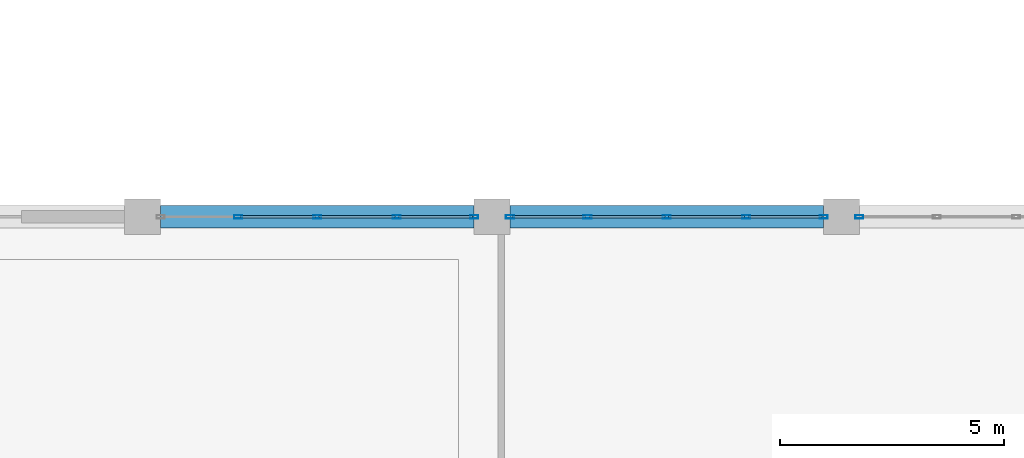
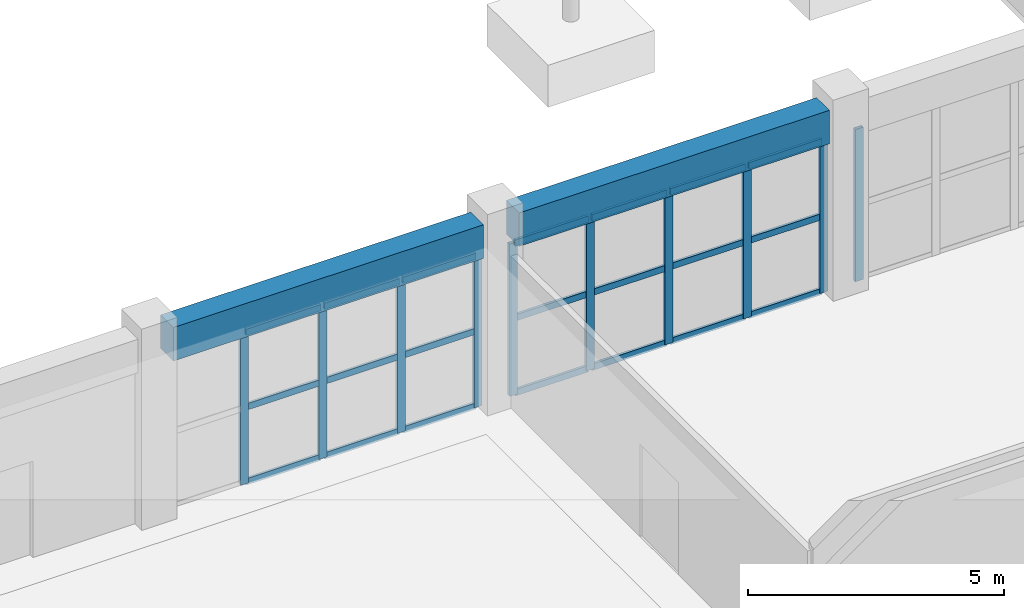
# One storey, part 27 of 139: 31 members, 2 beams, 3 elements without a shape of their own.
"""IFC4 building model written with IfcOpenShell, lengths in metres."""

from ifc_helpers import new_model, si_unit, direction, frame, origin, origin_2d, place, context, subcontext, project, spatial, rectangle, hollow_rectangle, extrude, material, layer, layer_set, material_profile, profile_set, type_object, element, aggregate, save


model = new_model("IFC4")

# Units and contexts
model_context = context("Model", 3, precision=1e-05, world=origin(), true_north=direction((0.0, 1.0)))
body_context = subcontext(model_context, "Body", "Model", "MODEL_VIEW")
ifc_project = project(units=[si_unit("LENGTHUNIT", "METRE"), si_unit("AREAUNIT", "SQUARE_METRE"), si_unit("VOLUMEUNIT", "CUBIC_METRE"), si_unit("PLANEANGLEUNIT", "RADIAN"), si_unit("MASSUNIT", "GRAM", prefix="KILO")], contexts=[model_context])

# Site, building, storey
site_placement = place(None, origin())
site = spatial("IfcSite", under=ifc_project, at=site_placement, CompositionType="ELEMENT")
building_placement = place(site_placement, origin())
building = spatial("IfcBuilding", under=site, at=building_placement, Name="Zizhar Promenade General Hospital", CompositionType="ELEMENT")
storey_placement = place(building_placement, origin())
storey = spatial("IfcBuildingStorey", under=building, at=storey_placement, Name="L00", CompositionType="ELEMENT", Elevation=0.0)

# Beams
ifc_material_1 = material(Name="Concrete C35/45", Category="concrete")
ifc_material_profile_1 = material_profile(ifc_material_1, rectangle(XDim=0.5, YDim=0.800048828125, at=origin_2d()))
ifc_profile_set_1 = profile_set([ifc_material_profile_1], Name="Concrete C35/45")
beam_type = type_object("IfcBeamType", Name="BM-RC-500x800", PredefinedType="BEAM", material=ifc_profile_set_1)
for number, where, z_axis, x_axis, name in (
    (1, (101.800048828125, 50.39990234375, 4.070068359375), (1.0, 0.0, 0.0), (0.0, 1.0, 0.0), "Grid Beam X L00 (13-6)"),
    (2, (109.60009765625, 50.39990234375, 4.070068359375), (1.0, 0.0, 0.0), (0.0, 1.0, 0.0), "Grid Beam X L00 (14-6)"),
):
    element("IfcBeam", number, at=place(storey_placement, frame(where, z_axis=z_axis, x_axis=x_axis)), inside=storey, type_object=beam_type, Name=name, PredefinedType="BEAM", context=body_context, shape_type="SweptSolid", body=[
        extrude(rectangle(XDim=0.5, YDim=0.800048828125, at=origin_2d()), origin(), (0.0, 0.0, 1.0), 7.0),
    ])

# Curtain wall, members
ifc_material_2 = material(Name="Anodised aluminium 6063-T6 and low-E glass", Category="aluminium")
ifc_layer = layer(ifc_material_2, 0.159912109375)
ifc_layer_set = layer_set([ifc_layer], Name="Anodised aluminium 6063-T6 and low-E glass")
curtain_wall_type = type_object("IfcCurtainWallType", Name="CW-HALL-N", PredefinedType="NOTDEFINED", material=ifc_layer_set)
curtain_wall_1_placement = place(storey_placement, origin())
curtain_wall_1 = element("IfcCurtainWall", 3, at=curtain_wall_1_placement, inside=storey, type_object=curtain_wall_type, Name="Main Hall Courtyard Curtain Wall L00-13", PredefinedType="NOTDEFINED")
ifc_material_3 = material(Name="Anodised aluminium 6063-T6", Category="aluminium")
ifc_material_profile_2 = material_profile(ifc_material_3, hollow_rectangle(XDim=0.080078125, YDim=0.179931640625, WallThickness=0.0048828125, at=origin_2d()))
ifc_profile_set_2 = profile_set([ifc_material_profile_2], Name="Anodised aluminium 6063-T6")
member_type_1 = type_object("IfcMemberType", Name="CWM-ALU-180x80", PredefinedType="MULLION", material=ifc_profile_set_2)
member_1_placement = place(storey_placement, frame((103.530029296875, 50.39990234375, 0.0), z_axis=(0.0, 0.0, 1.0), x_axis=(0.0, 1.0, 0.0)))
member_1 = element("IfcMember", 4, at=member_1_placement, type_object=member_type_1, Name="CW-02 mullion 2", PredefinedType="MULLION", context=body_context, shape_type="SweptSolid", body=[
    extrude(hollow_rectangle(XDim=0.080078125, YDim=0.179931640625, WallThickness=0.0048828125, at=origin_2d()), origin(), (0.0, 0.0, 1.0), 3.6298828125),
])
member_2_placement = place(storey_placement, frame((105.300048828125, 50.39990234375, 0.0), z_axis=(0.0, 0.0, 1.0), x_axis=(0.0, 1.0, 0.0)))
member_2 = element("IfcMember", 5, at=member_2_placement, type_object=member_type_1, Name="CW-02 mullion 3", PredefinedType="MULLION", context=body_context, shape_type="SweptSolid", body=[
    extrude(hollow_rectangle(XDim=0.080078125, YDim=0.179931640625, WallThickness=0.0048828125, at=origin_2d()), origin(), (0.0, 0.0, 1.0), 3.6298828125),
])
member_3_placement = place(storey_placement, frame((107.070068359375, 50.39990234375, 0.0), z_axis=(0.0, 0.0, 1.0), x_axis=(0.0, 1.0, 0.0)))
member_3 = element("IfcMember", 6, at=member_3_placement, type_object=member_type_1, Name="CW-02 mullion 4", PredefinedType="MULLION", context=body_context, shape_type="SweptSolid", body=[
    extrude(hollow_rectangle(XDim=0.080078125, YDim=0.179931640625, WallThickness=0.0048828125, at=origin_2d()), origin(), (0.0, 0.0, 1.0), 3.6298828125),
])
member_4_placement = place(storey_placement, frame((108.800048828125, 50.39990234375, 0.0), z_axis=(0.0, 0.0, 1.0), x_axis=(0.0, 1.0, 0.0)))
member_4 = element("IfcMember", 7, at=member_4_placement, type_object=member_type_1, Name="CW-02 mullion 5", PredefinedType="MULLION", context=body_context, shape_type="SweptSolid", body=[
    extrude(hollow_rectangle(XDim=0.080078125, YDim=0.179931640625, WallThickness=0.0048828125, at=origin_2d()), origin(), (0.0, 0.0, 1.0), 3.6298828125),
])

curtain_wall_2_placement = place(storey_placement, origin())
curtain_wall_2 = element("IfcCurtainWall", 8, at=curtain_wall_2_placement, inside=storey, type_object=curtain_wall_type, Name="Main Hall Courtyard Curtain Wall L00-14", PredefinedType="NOTDEFINED")
member_5_placement = place(storey_placement, frame((109.60009765625, 50.39990234375, 0.0), z_axis=(0.0, 0.0, 1.0), x_axis=(0.0, 1.0, 0.0)))
member_5 = element("IfcMember", 9, at=member_5_placement, type_object=member_type_1, Name="CW-02 mullion 1", PredefinedType="MULLION", context=body_context, shape_type="SweptSolid", body=[
    extrude(hollow_rectangle(XDim=0.080078125, YDim=0.179931640625, WallThickness=0.0048828125, at=origin_2d()), origin(), (0.0, 0.0, 1.0), 3.6298828125),
])
member_6_placement = place(storey_placement, frame((111.330078125, 50.39990234375, 0.0), z_axis=(0.0, 0.0, 1.0), x_axis=(0.0, 1.0, 0.0)))
member_6 = element("IfcMember", 10, at=member_6_placement, type_object=member_type_1, Name="CW-02 mullion 2", PredefinedType="MULLION", context=body_context, shape_type="SweptSolid", body=[
    extrude(hollow_rectangle(XDim=0.080078125, YDim=0.179931640625, WallThickness=0.0048828125, at=origin_2d()), origin(), (0.0, 0.0, 1.0), 3.6298828125),
])
member_7_placement = place(storey_placement, frame((113.10009765625, 50.39990234375, 0.0), z_axis=(0.0, 0.0, 1.0), x_axis=(0.0, 1.0, 0.0)))
member_7 = element("IfcMember", 11, at=member_7_placement, type_object=member_type_1, Name="CW-02 mullion 3", PredefinedType="MULLION", context=body_context, shape_type="SweptSolid", body=[
    extrude(hollow_rectangle(XDim=0.080078125, YDim=0.179931640625, WallThickness=0.0048828125, at=origin_2d()), origin(), (0.0, 0.0, 1.0), 3.6298828125),
])
member_8_placement = place(storey_placement, frame((114.8701171875, 50.39990234375, 0.0), z_axis=(0.0, 0.0, 1.0), x_axis=(0.0, 1.0, 0.0)))
member_8 = element("IfcMember", 12, at=member_8_placement, type_object=member_type_1, Name="CW-02 mullion 4", PredefinedType="MULLION", context=body_context, shape_type="SweptSolid", body=[
    extrude(hollow_rectangle(XDim=0.080078125, YDim=0.179931640625, WallThickness=0.0048828125, at=origin_2d()), origin(), (0.0, 0.0, 1.0), 3.6298828125),
])
member_9_placement = place(storey_placement, frame((116.60009765625, 50.39990234375, 0.0), z_axis=(0.0, 0.0, 1.0), x_axis=(0.0, 1.0, 0.0)))
member_9 = element("IfcMember", 13, at=member_9_placement, type_object=member_type_1, Name="CW-02 mullion 5", PredefinedType="MULLION", context=body_context, shape_type="SweptSolid", body=[
    extrude(hollow_rectangle(XDim=0.080078125, YDim=0.179931640625, WallThickness=0.0048828125, at=origin_2d()), origin(), (0.0, 0.0, 1.0), 3.6298828125),
])

# Curtain wall, member
curtain_wall_3_placement = place(storey_placement, origin())
curtain_wall_3 = element("IfcCurtainWall", 14, at=curtain_wall_3_placement, inside=storey, type_object=curtain_wall_type, Name="Main Hall Courtyard Curtain Wall L00-15", PredefinedType="NOTDEFINED")
member_10_placement = place(storey_placement, frame((117.39990234375, 50.39990234375, 0.0), z_axis=(0.0, 0.0, 1.0), x_axis=(0.0, 1.0, 0.0)))
member_10 = element("IfcMember", 15, at=member_10_placement, type_object=member_type_1, Name="CW-02 mullion 1", PredefinedType="MULLION", context=body_context, shape_type="SweptSolid", body=[
    extrude(hollow_rectangle(XDim=0.080078125, YDim=0.179931640625, WallThickness=0.0048828125, at=origin_2d()), origin(), (0.0, 0.0, 1.0), 3.6298828125),
])
aggregate(curtain_wall_3, [member_10])

# Member
ifc_material_4 = material(Name="Anodised aluminium 6063-T6", Category="aluminium")
ifc_material_profile_3 = material_profile(ifc_material_4, hollow_rectangle(XDim=0.06005859375, YDim=0.14990234375, WallThickness=0.00390625, at=origin_2d()))
ifc_profile_set_3 = profile_set([ifc_material_profile_3], Name="Anodised aluminium 6063-T6")
member_type_2 = type_object("IfcMemberType", Name="CWT-ALU-150x60", PredefinedType="USERDEFINED", material=ifc_profile_set_3)
member_11_placement = place(storey_placement, frame((103.570068359375, 50.39990234375, 0.030029296875), z_axis=(1.0, 0.0, 0.0), x_axis=(0.0, 1.0, 0.0)))
member_11 = element("IfcMember", 16, at=member_11_placement, type_object=member_type_2, Name="CW-02 transom 2.1", ObjectType="TRANSOM", PredefinedType="USERDEFINED", context=body_context, shape_type="SweptSolid", body=[
    extrude(hollow_rectangle(XDim=0.06005859375, YDim=0.14990234375, WallThickness=0.00390625, at=origin_2d()), origin(), (0.0, 0.0, 1.0), 1.68994140625),
])

member_12_placement = place(storey_placement, frame((103.570068359375, 50.39990234375, 1.81494140625), z_axis=(1.0, 0.0, 0.0), x_axis=(0.0, 1.0, 0.0)))
member_12 = element("IfcMember", 17, at=member_12_placement, type_object=member_type_2, Name="CW-02 transom 2.2", ObjectType="TRANSOM", PredefinedType="USERDEFINED", context=body_context, shape_type="SweptSolid", body=[
    extrude(hollow_rectangle(XDim=0.06005859375, YDim=0.14990234375, WallThickness=0.00390625, at=origin_2d()), origin(), (0.0, 0.0, 1.0), 1.68994140625),
])

member_13_placement = place(storey_placement, frame((103.570068359375, 50.39990234375, 3.60009765625), z_axis=(1.0, 0.0, 0.0), x_axis=(0.0, 1.0, 0.0)))
member_13 = element("IfcMember", 18, at=member_13_placement, type_object=member_type_2, Name="CW-02 transom 2.3", ObjectType="TRANSOM", PredefinedType="USERDEFINED", context=body_context, shape_type="SweptSolid", body=[
    extrude(hollow_rectangle(XDim=0.06005859375, YDim=0.14990234375, WallThickness=0.00390625, at=origin_2d()), origin(), (0.0, 0.0, 1.0), 1.68994140625),
])

member_14_placement = place(storey_placement, frame((105.340087890625, 50.39990234375, 0.030029296875), z_axis=(1.0, 0.0, 0.0), x_axis=(0.0, 1.0, 0.0)))
member_14 = element("IfcMember", 19, at=member_14_placement, type_object=member_type_2, Name="CW-02 transom 3.1", ObjectType="TRANSOM", PredefinedType="USERDEFINED", context=body_context, shape_type="SweptSolid", body=[
    extrude(hollow_rectangle(XDim=0.06005859375, YDim=0.14990234375, WallThickness=0.00390625, at=origin_2d()), origin(), (0.0, 0.0, 1.0), 1.68994140625),
])

member_15_placement = place(storey_placement, frame((105.340087890625, 50.39990234375, 1.81494140625), z_axis=(1.0, 0.0, 0.0), x_axis=(0.0, 1.0, 0.0)))
member_15 = element("IfcMember", 20, at=member_15_placement, type_object=member_type_2, Name="CW-02 transom 3.2", ObjectType="TRANSOM", PredefinedType="USERDEFINED", context=body_context, shape_type="SweptSolid", body=[
    extrude(hollow_rectangle(XDim=0.06005859375, YDim=0.14990234375, WallThickness=0.00390625, at=origin_2d()), origin(), (0.0, 0.0, 1.0), 1.68994140625),
])

member_16_placement = place(storey_placement, frame((105.340087890625, 50.39990234375, 3.60009765625), z_axis=(1.0, 0.0, 0.0), x_axis=(0.0, 1.0, 0.0)))
member_16 = element("IfcMember", 21, at=member_16_placement, type_object=member_type_2, Name="CW-02 transom 3.3", ObjectType="TRANSOM", PredefinedType="USERDEFINED", context=body_context, shape_type="SweptSolid", body=[
    extrude(hollow_rectangle(XDim=0.06005859375, YDim=0.14990234375, WallThickness=0.00390625, at=origin_2d()), origin(), (0.0, 0.0, 1.0), 1.68994140625),
])

member_17_placement = place(storey_placement, frame((107.110107421875, 50.39990234375, 0.030029296875), z_axis=(1.0, 0.0, 0.0), x_axis=(0.0, 1.0, 0.0)))
member_17 = element("IfcMember", 22, at=member_17_placement, type_object=member_type_2, Name="CW-02 transom 4.1", ObjectType="TRANSOM", PredefinedType="USERDEFINED", context=body_context, shape_type="SweptSolid", body=[
    extrude(hollow_rectangle(XDim=0.06005859375, YDim=0.14990234375, WallThickness=0.00390625, at=origin_2d()), origin(), (0.0, 0.0, 1.0), 1.64990234375),
])

member_18_placement = place(storey_placement, frame((107.110107421875, 50.39990234375, 1.81494140625), z_axis=(1.0, 0.0, 0.0), x_axis=(0.0, 1.0, 0.0)))
member_18 = element("IfcMember", 23, at=member_18_placement, type_object=member_type_2, Name="CW-02 transom 4.2", ObjectType="TRANSOM", PredefinedType="USERDEFINED", context=body_context, shape_type="SweptSolid", body=[
    extrude(hollow_rectangle(XDim=0.06005859375, YDim=0.14990234375, WallThickness=0.00390625, at=origin_2d()), origin(), (0.0, 0.0, 1.0), 1.64990234375),
])

member_19_placement = place(storey_placement, frame((107.110107421875, 50.39990234375, 3.60009765625), z_axis=(1.0, 0.0, 0.0), x_axis=(0.0, 1.0, 0.0)))
member_19 = element("IfcMember", 24, at=member_19_placement, type_object=member_type_2, Name="CW-02 transom 4.3", ObjectType="TRANSOM", PredefinedType="USERDEFINED", context=body_context, shape_type="SweptSolid", body=[
    extrude(hollow_rectangle(XDim=0.06005859375, YDim=0.14990234375, WallThickness=0.00390625, at=origin_2d()), origin(), (0.0, 0.0, 1.0), 1.64990234375),
])

aggregate(curtain_wall_1, [member_1, member_2, member_3, member_4, member_11, member_12, member_13, member_14, member_15, member_16, member_17, member_18, member_19])

member_20_placement = place(storey_placement, frame((109.639892578125, 50.39990234375, 0.030029296875), z_axis=(1.0, 0.0, 0.0), x_axis=(0.0, 1.0, 0.0)))
member_20 = element("IfcMember", 25, at=member_20_placement, type_object=member_type_2, Name="CW-02 transom 1.1", ObjectType="TRANSOM", PredefinedType="USERDEFINED", context=body_context, shape_type="SweptSolid", body=[
    extrude(hollow_rectangle(XDim=0.06005859375, YDim=0.14990234375, WallThickness=0.00390625, at=origin_2d()), origin(), (0.0, 0.0, 1.0), 1.650146484375),
])

member_21_placement = place(storey_placement, frame((109.639892578125, 50.39990234375, 1.81494140625), z_axis=(1.0, 0.0, 0.0), x_axis=(0.0, 1.0, 0.0)))
member_21 = element("IfcMember", 26, at=member_21_placement, type_object=member_type_2, Name="CW-02 transom 1.2", ObjectType="TRANSOM", PredefinedType="USERDEFINED", context=body_context, shape_type="SweptSolid", body=[
    extrude(hollow_rectangle(XDim=0.06005859375, YDim=0.14990234375, WallThickness=0.00390625, at=origin_2d()), origin(), (0.0, 0.0, 1.0), 1.650146484375),
])

member_22_placement = place(storey_placement, frame((109.639892578125, 50.39990234375, 3.60009765625), z_axis=(1.0, 0.0, 0.0), x_axis=(0.0, 1.0, 0.0)))
member_22 = element("IfcMember", 27, at=member_22_placement, type_object=member_type_2, Name="CW-02 transom 1.3", ObjectType="TRANSOM", PredefinedType="USERDEFINED", context=body_context, shape_type="SweptSolid", body=[
    extrude(hollow_rectangle(XDim=0.06005859375, YDim=0.14990234375, WallThickness=0.00390625, at=origin_2d()), origin(), (0.0, 0.0, 1.0), 1.650146484375),
])

member_23_placement = place(storey_placement, frame((111.3701171875, 50.39990234375, 0.030029296875), z_axis=(1.0, 0.0, 0.0), x_axis=(0.0, 1.0, 0.0)))
member_23 = element("IfcMember", 28, at=member_23_placement, type_object=member_type_2, Name="CW-02 transom 2.1", ObjectType="TRANSOM", PredefinedType="USERDEFINED", context=body_context, shape_type="SweptSolid", body=[
    extrude(hollow_rectangle(XDim=0.06005859375, YDim=0.14990234375, WallThickness=0.00390625, at=origin_2d()), origin(), (0.0, 0.0, 1.0), 1.68994140625),
])

member_24_placement = place(storey_placement, frame((111.3701171875, 50.39990234375, 1.81494140625), z_axis=(1.0, 0.0, 0.0), x_axis=(0.0, 1.0, 0.0)))
member_24 = element("IfcMember", 29, at=member_24_placement, type_object=member_type_2, Name="CW-02 transom 2.2", ObjectType="TRANSOM", PredefinedType="USERDEFINED", context=body_context, shape_type="SweptSolid", body=[
    extrude(hollow_rectangle(XDim=0.06005859375, YDim=0.14990234375, WallThickness=0.00390625, at=origin_2d()), origin(), (0.0, 0.0, 1.0), 1.68994140625),
])

member_25_placement = place(storey_placement, frame((111.3701171875, 50.39990234375, 3.60009765625), z_axis=(1.0, 0.0, 0.0), x_axis=(0.0, 1.0, 0.0)))
member_25 = element("IfcMember", 30, at=member_25_placement, type_object=member_type_2, Name="CW-02 transom 2.3", ObjectType="TRANSOM", PredefinedType="USERDEFINED", context=body_context, shape_type="SweptSolid", body=[
    extrude(hollow_rectangle(XDim=0.06005859375, YDim=0.14990234375, WallThickness=0.00390625, at=origin_2d()), origin(), (0.0, 0.0, 1.0), 1.68994140625),
])

member_26_placement = place(storey_placement, frame((113.139892578125, 50.39990234375, 0.030029296875), z_axis=(1.0, 0.0, 0.0), x_axis=(0.0, 1.0, 0.0)))
member_26 = element("IfcMember", 31, at=member_26_placement, type_object=member_type_2, Name="CW-02 transom 3.1", ObjectType="TRANSOM", PredefinedType="USERDEFINED", context=body_context, shape_type="SweptSolid", body=[
    extrude(hollow_rectangle(XDim=0.06005859375, YDim=0.14990234375, WallThickness=0.00390625, at=origin_2d()), origin(), (0.0, 0.0, 1.0), 1.690185546875),
])

member_27_placement = place(storey_placement, frame((113.139892578125, 50.39990234375, 1.81494140625), z_axis=(1.0, 0.0, 0.0), x_axis=(0.0, 1.0, 0.0)))
member_27 = element("IfcMember", 32, at=member_27_placement, type_object=member_type_2, Name="CW-02 transom 3.2", ObjectType="TRANSOM", PredefinedType="USERDEFINED", context=body_context, shape_type="SweptSolid", body=[
    extrude(hollow_rectangle(XDim=0.06005859375, YDim=0.14990234375, WallThickness=0.00390625, at=origin_2d()), origin(), (0.0, 0.0, 1.0), 1.690185546875),
])

member_28_placement = place(storey_placement, frame((113.139892578125, 50.39990234375, 3.60009765625), z_axis=(1.0, 0.0, 0.0), x_axis=(0.0, 1.0, 0.0)))
member_28 = element("IfcMember", 33, at=member_28_placement, type_object=member_type_2, Name="CW-02 transom 3.3", ObjectType="TRANSOM", PredefinedType="USERDEFINED", context=body_context, shape_type="SweptSolid", body=[
    extrude(hollow_rectangle(XDim=0.06005859375, YDim=0.14990234375, WallThickness=0.00390625, at=origin_2d()), origin(), (0.0, 0.0, 1.0), 1.690185546875),
])

member_29_placement = place(storey_placement, frame((114.909912109375, 50.39990234375, 0.030029296875), z_axis=(1.0, 0.0, 0.0), x_axis=(0.0, 1.0, 0.0)))
member_29 = element("IfcMember", 34, at=member_29_placement, type_object=member_type_2, Name="CW-02 transom 4.1", ObjectType="TRANSOM", PredefinedType="USERDEFINED", context=body_context, shape_type="SweptSolid", body=[
    extrude(hollow_rectangle(XDim=0.06005859375, YDim=0.14990234375, WallThickness=0.00390625, at=origin_2d()), origin(), (0.0, 0.0, 1.0), 1.650146484375),
])

member_30_placement = place(storey_placement, frame((114.909912109375, 50.39990234375, 1.81494140625), z_axis=(1.0, 0.0, 0.0), x_axis=(0.0, 1.0, 0.0)))
member_30 = element("IfcMember", 35, at=member_30_placement, type_object=member_type_2, Name="CW-02 transom 4.2", ObjectType="TRANSOM", PredefinedType="USERDEFINED", context=body_context, shape_type="SweptSolid", body=[
    extrude(hollow_rectangle(XDim=0.06005859375, YDim=0.14990234375, WallThickness=0.00390625, at=origin_2d()), origin(), (0.0, 0.0, 1.0), 1.650146484375),
])

member_31_placement = place(storey_placement, frame((114.909912109375, 50.39990234375, 3.60009765625), z_axis=(1.0, 0.0, 0.0), x_axis=(0.0, 1.0, 0.0)))
member_31 = element("IfcMember", 36, at=member_31_placement, type_object=member_type_2, Name="CW-02 transom 4.3", ObjectType="TRANSOM", PredefinedType="USERDEFINED", context=body_context, shape_type="SweptSolid", body=[
    extrude(hollow_rectangle(XDim=0.06005859375, YDim=0.14990234375, WallThickness=0.00390625, at=origin_2d()), origin(), (0.0, 0.0, 1.0), 1.650146484375),
])

aggregate(curtain_wall_2, [member_5, member_6, member_7, member_8, member_9, member_20, member_21, member_22, member_23, member_24, member_25, member_26, member_27, member_28, member_29, member_30, member_31])

save(model, "model.ifc")
